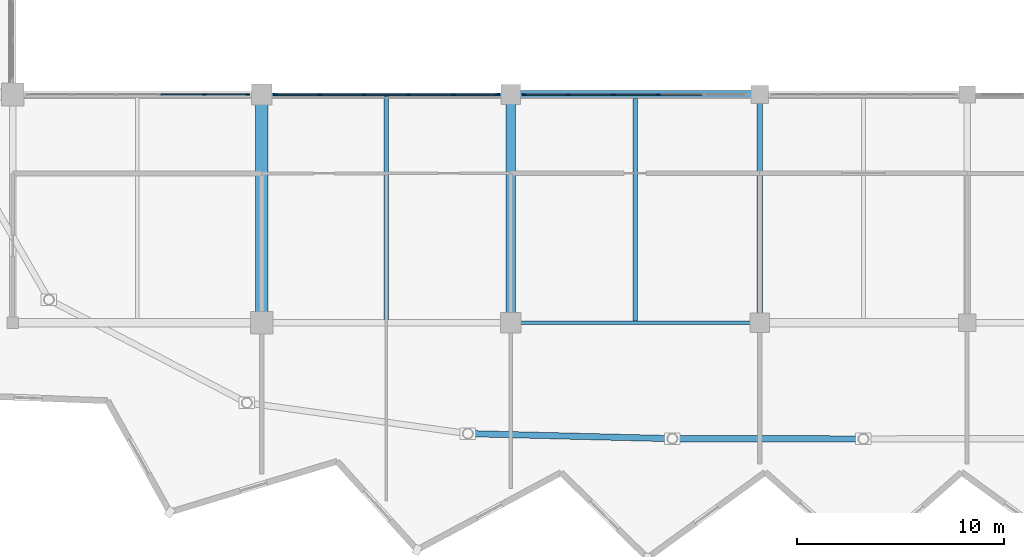
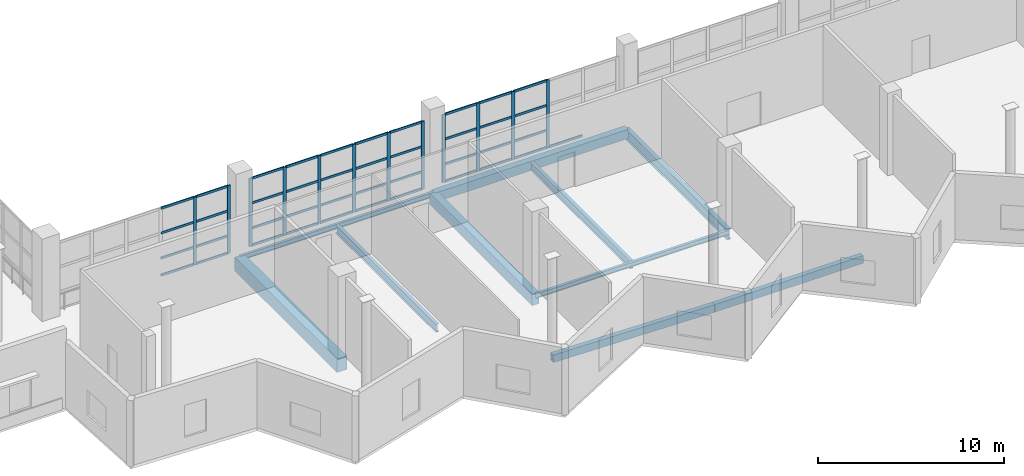
# One storey, part 12 of 49: 53 members, 10 beams, 3 elements without a shape of their own.
"""IFC4 building model written with IfcOpenShell, lengths in metres."""

from ifc_helpers import new_model, si_unit, direction, frame, origin, origin_2d, place, context, subcontext, project, spatial, rectangle, hollow_rectangle, i_section, extrude, material, material_profile, profile_set, type_object, element, aggregate, save


model = new_model("IFC4")

# Units and contexts
model_context = context("Model", 3, precision=1e-05, world=origin(), true_north=direction((0.0, 1.0)))
body_context = subcontext(model_context, "Body", "Model", "MODEL_VIEW")
ifc_project = project(units=[si_unit("LENGTHUNIT", "METRE"), si_unit("AREAUNIT", "SQUARE_METRE"), si_unit("VOLUMEUNIT", "CUBIC_METRE"), si_unit("PLANEANGLEUNIT", "RADIAN"), si_unit("MASSUNIT", "GRAM", prefix="KILO")], contexts=[model_context])

# Site, building, storey
site_placement = place(None, origin())
site = spatial("IfcSite", under=ifc_project, at=site_placement, CompositionType="ELEMENT")
building_placement = place(site_placement, origin())
building = spatial("IfcBuilding", under=site, at=building_placement, Name="Luwafu Chhajja Arena", CompositionType="ELEMENT")
storey_placement = place(building_placement, frame((0.0, 0.0, 24.300048828125)))
storey = spatial("IfcBuildingStorey", under=building, at=storey_placement, Name="L05", CompositionType="ELEMENT", Elevation=24.300048828125)

# Curtain wall, members
ifc_material_1 = material(Name="Anodised bronze aluminium", Category="aluminium")
curtain_wall_type = type_object("IfcCurtainWallType", Name="VIP Club Terrace Curtain Wall", PredefinedType="USERDEFINED", material=ifc_material_1)
curtain_wall_1_placement = place(storey_placement, origin())
curtain_wall_1 = element("IfcCurtainWall", 1, at=curtain_wall_1_placement, inside=storey, type_object=curtain_wall_type, Name="L05 Bowl Viewing Curtain Wall CWR-L05-01", ObjectType="CURTAIN WALL", PredefinedType="USERDEFINED")
ifc_material_profile_1 = material_profile(ifc_material_1, rectangle(XDim=0.06494140625, YDim=0.199951171875, at=origin_2d()), Name="CWM 65x200")
ifc_profile_set_1 = profile_set([ifc_material_profile_1], Name="Anodised bronze aluminium")
member_type_1 = type_object("IfcMemberType", Name="Bronze Curtain Wall Mullion 65x200", PredefinedType="MULLION", material=ifc_profile_set_1)
member_1_placement = place(storey_placement, frame((67.22607421875, 22.0, 0.0), z_axis=(0.0, 0.0, 1.0), x_axis=(0.0, 1.0, 0.0)))
member_1 = element("IfcMember", 2, at=member_1_placement, type_object=member_type_1, Name="CW-10 mullion 5", PredefinedType="MULLION", context=body_context, shape_type="SweptSolid", body=[
    extrude(rectangle(XDim=0.06494140625, YDim=0.199951171875, at=origin_2d()), origin(), (0.0, 0.0, 1.0), 4.449951171875),
])
member_2_placement = place(storey_placement, frame((69.327392578125, 22.0, 0.0), z_axis=(0.0, 0.0, 1.0), x_axis=(0.0, 1.0, 0.0)))
member_2 = element("IfcMember", 3, at=member_2_placement, type_object=member_type_1, Name="CW-10 mullion 6", PredefinedType="MULLION", context=body_context, shape_type="SweptSolid", body=[
    extrude(rectangle(XDim=0.06494140625, YDim=0.199951171875, at=origin_2d()), origin(), (0.0, 0.0, 1.0), 4.449951171875),
])

curtain_wall_2_placement = place(storey_placement, origin())
curtain_wall_2 = element("IfcCurtainWall", 4, at=curtain_wall_2_placement, inside=storey, type_object=curtain_wall_type, Name="L05 Bowl Viewing Curtain Wall CWR-L05-02", ObjectType="CURTAIN WALL", PredefinedType="USERDEFINED")
member_3_placement = place(storey_placement, frame((70.672607421875, 22.0, 0.0), z_axis=(0.0, 0.0, 1.0), x_axis=(0.0, 1.0, 0.0)))
member_3 = element("IfcMember", 5, at=member_3_placement, type_object=member_type_1, Name="CW-10 mullion 1", PredefinedType="MULLION", context=body_context, shape_type="SweptSolid", body=[
    extrude(rectangle(XDim=0.06494140625, YDim=0.199951171875, at=origin_2d()), origin(), (0.0, 0.0, 1.0), 4.449951171875),
])
member_4_placement = place(storey_placement, frame((72.7890625, 22.0, 0.0), z_axis=(0.0, 0.0, 1.0), x_axis=(0.0, 1.0, 0.0)))
member_4 = element("IfcMember", 6, at=member_4_placement, type_object=member_type_1, Name="CW-10 mullion 2", PredefinedType="MULLION", context=body_context, shape_type="SweptSolid", body=[
    extrude(rectangle(XDim=0.06494140625, YDim=0.199951171875, at=origin_2d()), origin(), (0.0, 0.0, 1.0), 4.449951171875),
])
member_5_placement = place(storey_placement, frame((74.93798828125, 22.0, 0.0), z_axis=(0.0, 0.0, 1.0), x_axis=(0.0, 1.0, 0.0)))
member_5 = element("IfcMember", 7, at=member_5_placement, type_object=member_type_1, Name="CW-10 mullion 3", PredefinedType="MULLION", context=body_context, shape_type="SweptSolid", body=[
    extrude(rectangle(XDim=0.06494140625, YDim=0.199951171875, at=origin_2d()), origin(), (0.0, 0.0, 1.0), 4.449951171875),
])
member_6_placement = place(storey_placement, frame((77.0869140625, 22.0, 0.0), z_axis=(0.0, 0.0, 1.0), x_axis=(0.0, 1.0, 0.0)))
member_6 = element("IfcMember", 8, at=member_6_placement, type_object=member_type_1, Name="CW-10 mullion 4", PredefinedType="MULLION", context=body_context, shape_type="SweptSolid", body=[
    extrude(rectangle(XDim=0.06494140625, YDim=0.199951171875, at=origin_2d()), origin(), (0.0, 0.0, 1.0), 4.449951171875),
])
member_7_placement = place(storey_placement, frame((79.236083984375, 22.0, 0.0), z_axis=(0.0, 0.0, 1.0), x_axis=(0.0, 1.0, 0.0)))
member_7 = element("IfcMember", 9, at=member_7_placement, type_object=member_type_1, Name="CW-10 mullion 5", PredefinedType="MULLION", context=body_context, shape_type="SweptSolid", body=[
    extrude(rectangle(XDim=0.06494140625, YDim=0.199951171875, at=origin_2d()), origin(), (0.0, 0.0, 1.0), 4.449951171875),
])
member_8_placement = place(storey_placement, frame((81.3525390625, 22.0, 0.0), z_axis=(0.0, 0.0, 1.0), x_axis=(0.0, 1.0, 0.0)))
member_8 = element("IfcMember", 10, at=member_8_placement, type_object=member_type_1, Name="CW-10 mullion 6", PredefinedType="MULLION", context=body_context, shape_type="SweptSolid", body=[
    extrude(rectangle(XDim=0.06494140625, YDim=0.199951171875, at=origin_2d()), origin(), (0.0, 0.0, 1.0), 4.449951171875),
])

curtain_wall_3_placement = place(storey_placement, origin())
curtain_wall_3 = element("IfcCurtainWall", 11, at=curtain_wall_3_placement, inside=storey, type_object=curtain_wall_type, Name="L05 Bowl Viewing Curtain Wall CWR-L05-03", ObjectType="CURTAIN WALL", PredefinedType="USERDEFINED")
member_9_placement = place(storey_placement, frame((82.6474609375, 22.0, 0.0), z_axis=(0.0, 0.0, 1.0), x_axis=(0.0, 1.0, 0.0)))
member_9 = element("IfcMember", 12, at=member_9_placement, type_object=member_type_1, Name="CW-10 mullion 1", PredefinedType="MULLION", context=body_context, shape_type="SweptSolid", body=[
    extrude(rectangle(XDim=0.06494140625, YDim=0.199951171875, at=origin_2d()), origin(), (0.0, 0.0, 1.0), 4.449951171875),
])
member_10_placement = place(storey_placement, frame((84.779052734375, 22.0, 0.0), z_axis=(0.0, 0.0, 1.0), x_axis=(0.0, 1.0, 0.0)))
member_10 = element("IfcMember", 13, at=member_10_placement, type_object=member_type_1, Name="CW-10 mullion 2", PredefinedType="MULLION", context=body_context, shape_type="SweptSolid", body=[
    extrude(rectangle(XDim=0.06494140625, YDim=0.199951171875, at=origin_2d()), origin(), (0.0, 0.0, 1.0), 4.449951171875),
])
member_11_placement = place(storey_placement, frame((86.943115234375, 22.0, 0.0), z_axis=(0.0, 0.0, 1.0), x_axis=(0.0, 1.0, 0.0)))
member_11 = element("IfcMember", 14, at=member_11_placement, type_object=member_type_1, Name="CW-10 mullion 3", PredefinedType="MULLION", context=body_context, shape_type="SweptSolid", body=[
    extrude(rectangle(XDim=0.06494140625, YDim=0.199951171875, at=origin_2d()), origin(), (0.0, 0.0, 1.0), 4.449951171875),
])
member_12_placement = place(storey_placement, frame((89.10693359375, 22.0, 0.0), z_axis=(0.0, 0.0, 1.0), x_axis=(0.0, 1.0, 0.0)))
member_12 = element("IfcMember", 15, at=member_12_placement, type_object=member_type_1, Name="CW-10 mullion 4", PredefinedType="MULLION", context=body_context, shape_type="SweptSolid", body=[
    extrude(rectangle(XDim=0.06494140625, YDim=0.199951171875, at=origin_2d()), origin(), (0.0, 0.0, 1.0), 4.449951171875),
])

# Member
ifc_material_profile_2 = material_profile(ifc_material_1, rectangle(XDim=0.06494140625, YDim=0.14990234375, at=origin_2d()), Name="CWT 65x150")
ifc_profile_set_2 = profile_set([ifc_material_profile_2], Name="Anodised bronze aluminium")
member_type_2 = type_object("IfcMemberType", Name="Bronze Curtain Wall Transom 65x150", PredefinedType="USERDEFINED", material=ifc_profile_set_2)
member_13_placement = place(storey_placement, frame((65.12451171875, 22.0, 0.032470703125), z_axis=(1.0, 0.0, 0.0), x_axis=(0.0, 1.0, 0.0)))
member_13 = element("IfcMember", 16, at=member_13_placement, type_object=member_type_2, Name="CW-10 transom 4.1", ObjectType="TRANSOM", PredefinedType="USERDEFINED", context=body_context, shape_type="SweptSolid", body=[
    extrude(rectangle(XDim=0.06494140625, YDim=0.14990234375, at=origin_2d()), origin(), (0.0, 0.0, 1.0), 2.069091796875),
])

member_14_placement = place(storey_placement, frame((65.12451171875, 22.0, 1.14990234375), z_axis=(1.0, 0.0, 0.0), x_axis=(0.0, 1.0, 0.0)))
member_14 = element("IfcMember", 17, at=member_14_placement, type_object=member_type_2, Name="CW-10 transom 4.2", ObjectType="TRANSOM", PredefinedType="USERDEFINED", context=body_context, shape_type="SweptSolid", body=[
    extrude(rectangle(XDim=0.06494140625, YDim=0.14990234375, at=origin_2d()), origin(), (0.0, 0.0, 1.0), 2.069091796875),
])

member_15_placement = place(storey_placement, frame((65.12451171875, 22.0, 2.800048828125), z_axis=(1.0, 0.0, 0.0), x_axis=(0.0, 1.0, 0.0)))
member_15 = element("IfcMember", 18, at=member_15_placement, type_object=member_type_2, Name="CW-10 transom 4.3", ObjectType="TRANSOM", PredefinedType="USERDEFINED", context=body_context, shape_type="SweptSolid", body=[
    extrude(rectangle(XDim=0.06494140625, YDim=0.14990234375, at=origin_2d()), origin(), (0.0, 0.0, 1.0), 2.069091796875),
])

member_16_placement = place(storey_placement, frame((65.12451171875, 22.0, 4.41748046875), z_axis=(1.0, 0.0, 0.0), x_axis=(0.0, 1.0, 0.0)))
member_16 = element("IfcMember", 19, at=member_16_placement, type_object=member_type_2, Name="CW-10 transom 4.4", ObjectType="TRANSOM", PredefinedType="USERDEFINED", context=body_context, shape_type="SweptSolid", body=[
    extrude(rectangle(XDim=0.06494140625, YDim=0.14990234375, at=origin_2d()), origin(), (0.0, 0.0, 1.0), 2.069091796875),
])

member_17_placement = place(storey_placement, frame((67.258544921875, 22.0, 0.032470703125), z_axis=(1.0, 0.0, 0.0), x_axis=(0.0, 1.0, 0.0)))
member_17 = element("IfcMember", 20, at=member_17_placement, type_object=member_type_2, Name="CW-10 transom 5.1", ObjectType="TRANSOM", PredefinedType="USERDEFINED", context=body_context, shape_type="SweptSolid", body=[
    extrude(rectangle(XDim=0.06494140625, YDim=0.14990234375, at=origin_2d()), origin(), (0.0, 0.0, 1.0), 2.036376953125),
])

member_18_placement = place(storey_placement, frame((67.258544921875, 22.0, 1.14990234375), z_axis=(1.0, 0.0, 0.0), x_axis=(0.0, 1.0, 0.0)))
member_18 = element("IfcMember", 21, at=member_18_placement, type_object=member_type_2, Name="CW-10 transom 5.2", ObjectType="TRANSOM", PredefinedType="USERDEFINED", context=body_context, shape_type="SweptSolid", body=[
    extrude(rectangle(XDim=0.06494140625, YDim=0.14990234375, at=origin_2d()), origin(), (0.0, 0.0, 1.0), 2.036376953125),
])

member_19_placement = place(storey_placement, frame((67.258544921875, 22.0, 2.800048828125), z_axis=(1.0, 0.0, 0.0), x_axis=(0.0, 1.0, 0.0)))
member_19 = element("IfcMember", 22, at=member_19_placement, type_object=member_type_2, Name="CW-10 transom 5.3", ObjectType="TRANSOM", PredefinedType="USERDEFINED", context=body_context, shape_type="SweptSolid", body=[
    extrude(rectangle(XDim=0.06494140625, YDim=0.14990234375, at=origin_2d()), origin(), (0.0, 0.0, 1.0), 2.036376953125),
])

member_20_placement = place(storey_placement, frame((67.258544921875, 22.0, 4.41748046875), z_axis=(1.0, 0.0, 0.0), x_axis=(0.0, 1.0, 0.0)))
member_20 = element("IfcMember", 23, at=member_20_placement, type_object=member_type_2, Name="CW-10 transom 5.4", ObjectType="TRANSOM", PredefinedType="USERDEFINED", context=body_context, shape_type="SweptSolid", body=[
    extrude(rectangle(XDim=0.06494140625, YDim=0.14990234375, at=origin_2d()), origin(), (0.0, 0.0, 1.0), 2.036376953125),
])

aggregate(curtain_wall_1, [member_1, member_2, member_13, member_14, member_15, member_16, member_17, member_18, member_19, member_20])

member_21_placement = place(storey_placement, frame((70.705078125, 22.0, 0.032470703125), z_axis=(1.0, 0.0, 0.0), x_axis=(0.0, 1.0, 0.0)))
member_21 = element("IfcMember", 24, at=member_21_placement, type_object=member_type_2, Name="CW-10 transom 1.1", ObjectType="TRANSOM", PredefinedType="USERDEFINED", context=body_context, shape_type="SweptSolid", body=[
    extrude(rectangle(XDim=0.06494140625, YDim=0.14990234375, at=origin_2d()), origin(), (0.0, 0.0, 1.0), 2.051513671875),
])

member_22_placement = place(storey_placement, frame((70.705078125, 22.0, 1.14990234375), z_axis=(1.0, 0.0, 0.0), x_axis=(0.0, 1.0, 0.0)))
member_22 = element("IfcMember", 25, at=member_22_placement, type_object=member_type_2, Name="CW-10 transom 1.2", ObjectType="TRANSOM", PredefinedType="USERDEFINED", context=body_context, shape_type="SweptSolid", body=[
    extrude(rectangle(XDim=0.06494140625, YDim=0.14990234375, at=origin_2d()), origin(), (0.0, 0.0, 1.0), 2.051513671875),
])

member_23_placement = place(storey_placement, frame((70.705078125, 22.0, 2.800048828125), z_axis=(1.0, 0.0, 0.0), x_axis=(0.0, 1.0, 0.0)))
member_23 = element("IfcMember", 26, at=member_23_placement, type_object=member_type_2, Name="CW-10 transom 1.3", ObjectType="TRANSOM", PredefinedType="USERDEFINED", context=body_context, shape_type="SweptSolid", body=[
    extrude(rectangle(XDim=0.06494140625, YDim=0.14990234375, at=origin_2d()), origin(), (0.0, 0.0, 1.0), 2.051513671875),
])

member_24_placement = place(storey_placement, frame((70.705078125, 22.0, 4.41748046875), z_axis=(1.0, 0.0, 0.0), x_axis=(0.0, 1.0, 0.0)))
member_24 = element("IfcMember", 27, at=member_24_placement, type_object=member_type_2, Name="CW-10 transom 1.4", ObjectType="TRANSOM", PredefinedType="USERDEFINED", context=body_context, shape_type="SweptSolid", body=[
    extrude(rectangle(XDim=0.06494140625, YDim=0.14990234375, at=origin_2d()), origin(), (0.0, 0.0, 1.0), 2.051513671875),
])

member_25_placement = place(storey_placement, frame((72.821533203125, 22.0, 0.032470703125), z_axis=(1.0, 0.0, 0.0), x_axis=(0.0, 1.0, 0.0)))
member_25 = element("IfcMember", 28, at=member_25_placement, type_object=member_type_2, Name="CW-10 transom 2.1", ObjectType="TRANSOM", PredefinedType="USERDEFINED", context=body_context, shape_type="SweptSolid", body=[
    extrude(rectangle(XDim=0.06494140625, YDim=0.14990234375, at=origin_2d()), origin(), (0.0, 0.0, 1.0), 2.083984375),
])

member_26_placement = place(storey_placement, frame((72.821533203125, 22.0, 1.14990234375), z_axis=(1.0, 0.0, 0.0), x_axis=(0.0, 1.0, 0.0)))
member_26 = element("IfcMember", 29, at=member_26_placement, type_object=member_type_2, Name="CW-10 transom 2.2", ObjectType="TRANSOM", PredefinedType="USERDEFINED", context=body_context, shape_type="SweptSolid", body=[
    extrude(rectangle(XDim=0.06494140625, YDim=0.14990234375, at=origin_2d()), origin(), (0.0, 0.0, 1.0), 2.083984375),
])

member_27_placement = place(storey_placement, frame((72.821533203125, 22.0, 2.800048828125), z_axis=(1.0, 0.0, 0.0), x_axis=(0.0, 1.0, 0.0)))
member_27 = element("IfcMember", 30, at=member_27_placement, type_object=member_type_2, Name="CW-10 transom 2.3", ObjectType="TRANSOM", PredefinedType="USERDEFINED", context=body_context, shape_type="SweptSolid", body=[
    extrude(rectangle(XDim=0.06494140625, YDim=0.14990234375, at=origin_2d()), origin(), (0.0, 0.0, 1.0), 2.083984375),
])

member_28_placement = place(storey_placement, frame((72.821533203125, 22.0, 4.41748046875), z_axis=(1.0, 0.0, 0.0), x_axis=(0.0, 1.0, 0.0)))
member_28 = element("IfcMember", 31, at=member_28_placement, type_object=member_type_2, Name="CW-10 transom 2.4", ObjectType="TRANSOM", PredefinedType="USERDEFINED", context=body_context, shape_type="SweptSolid", body=[
    extrude(rectangle(XDim=0.06494140625, YDim=0.14990234375, at=origin_2d()), origin(), (0.0, 0.0, 1.0), 2.083984375),
])

member_29_placement = place(storey_placement, frame((74.970458984375, 22.0, 0.032470703125), z_axis=(1.0, 0.0, 0.0), x_axis=(0.0, 1.0, 0.0)))
member_29 = element("IfcMember", 32, at=member_29_placement, type_object=member_type_2, Name="CW-10 transom 3.1", ObjectType="TRANSOM", PredefinedType="USERDEFINED", context=body_context, shape_type="SweptSolid", body=[
    extrude(rectangle(XDim=0.06494140625, YDim=0.14990234375, at=origin_2d()), origin(), (0.0, 0.0, 1.0), 2.083984375),
])

member_30_placement = place(storey_placement, frame((74.970458984375, 22.0, 1.14990234375), z_axis=(1.0, 0.0, 0.0), x_axis=(0.0, 1.0, 0.0)))
member_30 = element("IfcMember", 33, at=member_30_placement, type_object=member_type_2, Name="CW-10 transom 3.2", ObjectType="TRANSOM", PredefinedType="USERDEFINED", context=body_context, shape_type="SweptSolid", body=[
    extrude(rectangle(XDim=0.06494140625, YDim=0.14990234375, at=origin_2d()), origin(), (0.0, 0.0, 1.0), 2.083984375),
])

member_31_placement = place(storey_placement, frame((74.970458984375, 22.0, 2.800048828125), z_axis=(1.0, 0.0, 0.0), x_axis=(0.0, 1.0, 0.0)))
member_31 = element("IfcMember", 34, at=member_31_placement, type_object=member_type_2, Name="CW-10 transom 3.3", ObjectType="TRANSOM", PredefinedType="USERDEFINED", context=body_context, shape_type="SweptSolid", body=[
    extrude(rectangle(XDim=0.06494140625, YDim=0.14990234375, at=origin_2d()), origin(), (0.0, 0.0, 1.0), 2.083984375),
])

member_32_placement = place(storey_placement, frame((74.970458984375, 22.0, 4.41748046875), z_axis=(1.0, 0.0, 0.0), x_axis=(0.0, 1.0, 0.0)))
member_32 = element("IfcMember", 35, at=member_32_placement, type_object=member_type_2, Name="CW-10 transom 3.4", ObjectType="TRANSOM", PredefinedType="USERDEFINED", context=body_context, shape_type="SweptSolid", body=[
    extrude(rectangle(XDim=0.06494140625, YDim=0.14990234375, at=origin_2d()), origin(), (0.0, 0.0, 1.0), 2.083984375),
])

member_33_placement = place(storey_placement, frame((77.119384765625, 22.0, 0.032470703125), z_axis=(1.0, 0.0, 0.0), x_axis=(0.0, 1.0, 0.0)))
member_33 = element("IfcMember", 36, at=member_33_placement, type_object=member_type_2, Name="CW-10 transom 4.1", ObjectType="TRANSOM", PredefinedType="USERDEFINED", context=body_context, shape_type="SweptSolid", body=[
    extrude(rectangle(XDim=0.06494140625, YDim=0.14990234375, at=origin_2d()), origin(), (0.0, 0.0, 1.0), 2.084228515625),
])

member_34_placement = place(storey_placement, frame((77.119384765625, 22.0, 1.14990234375), z_axis=(1.0, 0.0, 0.0), x_axis=(0.0, 1.0, 0.0)))
member_34 = element("IfcMember", 37, at=member_34_placement, type_object=member_type_2, Name="CW-10 transom 4.2", ObjectType="TRANSOM", PredefinedType="USERDEFINED", context=body_context, shape_type="SweptSolid", body=[
    extrude(rectangle(XDim=0.06494140625, YDim=0.14990234375, at=origin_2d()), origin(), (0.0, 0.0, 1.0), 2.084228515625),
])

member_35_placement = place(storey_placement, frame((77.119384765625, 22.0, 2.800048828125), z_axis=(1.0, 0.0, 0.0), x_axis=(0.0, 1.0, 0.0)))
member_35 = element("IfcMember", 38, at=member_35_placement, type_object=member_type_2, Name="CW-10 transom 4.3", ObjectType="TRANSOM", PredefinedType="USERDEFINED", context=body_context, shape_type="SweptSolid", body=[
    extrude(rectangle(XDim=0.06494140625, YDim=0.14990234375, at=origin_2d()), origin(), (0.0, 0.0, 1.0), 2.084228515625),
])

member_36_placement = place(storey_placement, frame((77.119384765625, 22.0, 4.41748046875), z_axis=(1.0, 0.0, 0.0), x_axis=(0.0, 1.0, 0.0)))
member_36 = element("IfcMember", 39, at=member_36_placement, type_object=member_type_2, Name="CW-10 transom 4.4", ObjectType="TRANSOM", PredefinedType="USERDEFINED", context=body_context, shape_type="SweptSolid", body=[
    extrude(rectangle(XDim=0.06494140625, YDim=0.14990234375, at=origin_2d()), origin(), (0.0, 0.0, 1.0), 2.084228515625),
])

member_37_placement = place(storey_placement, frame((79.2685546875, 22.0, 0.032470703125), z_axis=(1.0, 0.0, 0.0), x_axis=(0.0, 1.0, 0.0)))
member_37 = element("IfcMember", 40, at=member_37_placement, type_object=member_type_2, Name="CW-10 transom 5.1", ObjectType="TRANSOM", PredefinedType="USERDEFINED", context=body_context, shape_type="SweptSolid", body=[
    extrude(rectangle(XDim=0.06494140625, YDim=0.14990234375, at=origin_2d()), origin(), (0.0, 0.0, 1.0), 2.051513671875),
])

member_38_placement = place(storey_placement, frame((79.2685546875, 22.0, 1.14990234375), z_axis=(1.0, 0.0, 0.0), x_axis=(0.0, 1.0, 0.0)))
member_38 = element("IfcMember", 41, at=member_38_placement, type_object=member_type_2, Name="CW-10 transom 5.2", ObjectType="TRANSOM", PredefinedType="USERDEFINED", context=body_context, shape_type="SweptSolid", body=[
    extrude(rectangle(XDim=0.06494140625, YDim=0.14990234375, at=origin_2d()), origin(), (0.0, 0.0, 1.0), 2.051513671875),
])

member_39_placement = place(storey_placement, frame((79.2685546875, 22.0, 2.800048828125), z_axis=(1.0, 0.0, 0.0), x_axis=(0.0, 1.0, 0.0)))
member_39 = element("IfcMember", 42, at=member_39_placement, type_object=member_type_2, Name="CW-10 transom 5.3", ObjectType="TRANSOM", PredefinedType="USERDEFINED", context=body_context, shape_type="SweptSolid", body=[
    extrude(rectangle(XDim=0.06494140625, YDim=0.14990234375, at=origin_2d()), origin(), (0.0, 0.0, 1.0), 2.051513671875),
])

member_40_placement = place(storey_placement, frame((79.2685546875, 22.0, 4.41748046875), z_axis=(1.0, 0.0, 0.0), x_axis=(0.0, 1.0, 0.0)))
member_40 = element("IfcMember", 43, at=member_40_placement, type_object=member_type_2, Name="CW-10 transom 5.4", ObjectType="TRANSOM", PredefinedType="USERDEFINED", context=body_context, shape_type="SweptSolid", body=[
    extrude(rectangle(XDim=0.06494140625, YDim=0.14990234375, at=origin_2d()), origin(), (0.0, 0.0, 1.0), 2.051513671875),
])

aggregate(curtain_wall_2, [member_3, member_4, member_5, member_6, member_7, member_8, member_21, member_22, member_23, member_24, member_25, member_26, member_27, member_28, member_29, member_30, member_31, member_32, member_33, member_34, member_35, member_36, member_37, member_38, member_39, member_40])

member_41_placement = place(storey_placement, frame((82.679931640625, 22.0, 0.032470703125), z_axis=(1.0, 0.0, 0.0), x_axis=(0.0, 1.0, 0.0)))
member_41 = element("IfcMember", 44, at=member_41_placement, type_object=member_type_2, Name="CW-10 transom 1.1", ObjectType="TRANSOM", PredefinedType="USERDEFINED", context=body_context, shape_type="SweptSolid", body=[
    extrude(rectangle(XDim=0.06494140625, YDim=0.14990234375, at=origin_2d()), origin(), (0.0, 0.0, 1.0), 2.066650390625),
])

member_42_placement = place(storey_placement, frame((82.679931640625, 22.0, 1.14990234375), z_axis=(1.0, 0.0, 0.0), x_axis=(0.0, 1.0, 0.0)))
member_42 = element("IfcMember", 45, at=member_42_placement, type_object=member_type_2, Name="CW-10 transom 1.2", ObjectType="TRANSOM", PredefinedType="USERDEFINED", context=body_context, shape_type="SweptSolid", body=[
    extrude(rectangle(XDim=0.06494140625, YDim=0.14990234375, at=origin_2d()), origin(), (0.0, 0.0, 1.0), 2.066650390625),
])

member_43_placement = place(storey_placement, frame((82.679931640625, 22.0, 2.800048828125), z_axis=(1.0, 0.0, 0.0), x_axis=(0.0, 1.0, 0.0)))
member_43 = element("IfcMember", 46, at=member_43_placement, type_object=member_type_2, Name="CW-10 transom 1.3", ObjectType="TRANSOM", PredefinedType="USERDEFINED", context=body_context, shape_type="SweptSolid", body=[
    extrude(rectangle(XDim=0.06494140625, YDim=0.14990234375, at=origin_2d()), origin(), (0.0, 0.0, 1.0), 2.066650390625),
])

member_44_placement = place(storey_placement, frame((82.679931640625, 22.0, 4.41748046875), z_axis=(1.0, 0.0, 0.0), x_axis=(0.0, 1.0, 0.0)))
member_44 = element("IfcMember", 47, at=member_44_placement, type_object=member_type_2, Name="CW-10 transom 1.4", ObjectType="TRANSOM", PredefinedType="USERDEFINED", context=body_context, shape_type="SweptSolid", body=[
    extrude(rectangle(XDim=0.06494140625, YDim=0.14990234375, at=origin_2d()), origin(), (0.0, 0.0, 1.0), 2.066650390625),
])

member_45_placement = place(storey_placement, frame((84.8115234375, 22.0, 0.032470703125), z_axis=(1.0, 0.0, 0.0), x_axis=(0.0, 1.0, 0.0)))
member_45 = element("IfcMember", 48, at=member_45_placement, type_object=member_type_2, Name="CW-10 transom 2.1", ObjectType="TRANSOM", PredefinedType="USERDEFINED", context=body_context, shape_type="SweptSolid", body=[
    extrude(rectangle(XDim=0.06494140625, YDim=0.14990234375, at=origin_2d()), origin(), (0.0, 0.0, 1.0), 2.098876953125),
])

member_46_placement = place(storey_placement, frame((84.8115234375, 22.0, 1.14990234375), z_axis=(1.0, 0.0, 0.0), x_axis=(0.0, 1.0, 0.0)))
member_46 = element("IfcMember", 49, at=member_46_placement, type_object=member_type_2, Name="CW-10 transom 2.2", ObjectType="TRANSOM", PredefinedType="USERDEFINED", context=body_context, shape_type="SweptSolid", body=[
    extrude(rectangle(XDim=0.06494140625, YDim=0.14990234375, at=origin_2d()), origin(), (0.0, 0.0, 1.0), 2.098876953125),
])

member_47_placement = place(storey_placement, frame((84.8115234375, 22.0, 2.800048828125), z_axis=(1.0, 0.0, 0.0), x_axis=(0.0, 1.0, 0.0)))
member_47 = element("IfcMember", 50, at=member_47_placement, type_object=member_type_2, Name="CW-10 transom 2.3", ObjectType="TRANSOM", PredefinedType="USERDEFINED", context=body_context, shape_type="SweptSolid", body=[
    extrude(rectangle(XDim=0.06494140625, YDim=0.14990234375, at=origin_2d()), origin(), (0.0, 0.0, 1.0), 2.098876953125),
])

member_48_placement = place(storey_placement, frame((84.8115234375, 22.0, 4.41748046875), z_axis=(1.0, 0.0, 0.0), x_axis=(0.0, 1.0, 0.0)))
member_48 = element("IfcMember", 51, at=member_48_placement, type_object=member_type_2, Name="CW-10 transom 2.4", ObjectType="TRANSOM", PredefinedType="USERDEFINED", context=body_context, shape_type="SweptSolid", body=[
    extrude(rectangle(XDim=0.06494140625, YDim=0.14990234375, at=origin_2d()), origin(), (0.0, 0.0, 1.0), 2.098876953125),
])

member_49_placement = place(storey_placement, frame((86.9755859375, 22.0, 0.032470703125), z_axis=(1.0, 0.0, 0.0), x_axis=(0.0, 1.0, 0.0)))
member_49 = element("IfcMember", 52, at=member_49_placement, type_object=member_type_2, Name="CW-10 transom 3.1", ObjectType="TRANSOM", PredefinedType="USERDEFINED", context=body_context, shape_type="SweptSolid", body=[
    extrude(rectangle(XDim=0.06494140625, YDim=0.14990234375, at=origin_2d()), origin(), (0.0, 0.0, 1.0), 2.098876953125),
])

member_50_placement = place(storey_placement, frame((86.9755859375, 22.0, 1.14990234375), z_axis=(1.0, 0.0, 0.0), x_axis=(0.0, 1.0, 0.0)))
member_50 = element("IfcMember", 53, at=member_50_placement, type_object=member_type_2, Name="CW-10 transom 3.2", ObjectType="TRANSOM", PredefinedType="USERDEFINED", context=body_context, shape_type="SweptSolid", body=[
    extrude(rectangle(XDim=0.06494140625, YDim=0.14990234375, at=origin_2d()), origin(), (0.0, 0.0, 1.0), 2.098876953125),
])

member_51_placement = place(storey_placement, frame((86.9755859375, 22.0, 2.800048828125), z_axis=(1.0, 0.0, 0.0), x_axis=(0.0, 1.0, 0.0)))
member_51 = element("IfcMember", 54, at=member_51_placement, type_object=member_type_2, Name="CW-10 transom 3.3", ObjectType="TRANSOM", PredefinedType="USERDEFINED", context=body_context, shape_type="SweptSolid", body=[
    extrude(rectangle(XDim=0.06494140625, YDim=0.14990234375, at=origin_2d()), origin(), (0.0, 0.0, 1.0), 2.098876953125),
])

member_52_placement = place(storey_placement, frame((86.9755859375, 22.0, 4.41748046875), z_axis=(1.0, 0.0, 0.0), x_axis=(0.0, 1.0, 0.0)))
member_52 = element("IfcMember", 55, at=member_52_placement, type_object=member_type_2, Name="CW-10 transom 3.4", ObjectType="TRANSOM", PredefinedType="USERDEFINED", context=body_context, shape_type="SweptSolid", body=[
    extrude(rectangle(XDim=0.06494140625, YDim=0.14990234375, at=origin_2d()), origin(), (0.0, 0.0, 1.0), 2.098876953125),
])

member_53_placement = place(storey_placement, frame((89.139404296875, 22.0, 0.032470703125), z_axis=(1.0, 0.0, 0.0), x_axis=(0.0, 1.0, 0.0)))
member_53 = element("IfcMember", 56, at=member_53_placement, type_object=member_type_2, Name="CW-10 transom 4.1", ObjectType="TRANSOM", PredefinedType="USERDEFINED", context=body_context, shape_type="SweptSolid", body=[
    extrude(rectangle(XDim=0.06494140625, YDim=0.14990234375, at=origin_2d()), origin(), (0.0, 0.0, 1.0), 2.09912109375),
])

aggregate(curtain_wall_3, [member_9, member_10, member_11, member_12, member_41, member_42, member_43, member_44, member_45, member_46, member_47, member_48, member_49, member_50, member_51, member_52, member_53])

# Beams
ifc_material_2 = material(Name="Steel S355", Category="steel")
ifc_material_profile_3 = material_profile(ifc_material_2, i_section(OverallWidth=0.165771484375, OverallDepth=0.306640625, WebThickness=0.006591796875, FlangeThickness=0.01171875, at=origin_2d()), Name="UB 305x165x46")
ifc_profile_set_3 = profile_set([ifc_material_profile_3], Name="Steel S355")
beam_type_1 = type_object("IfcBeamType", Name="Concourse Edge Spandrel Beam UB 305x165x46", PredefinedType="SPANDREL", material=ifc_profile_set_3)
for number, where, z_axis, x_axis, name in (
    (57, (70.0, 22.0, -0.54345703125), (1.0, 0.0, 0.0), (0.0, 1.0, 0.0), "L05 Grid Beam 7-8/C"),
    (58, (82.0, 11.0, -0.54345703125), (1.0, 0.0, 0.0), (0.0, 1.0, 0.0), "L05 Grid Beam 8-9/B"),
):
    element("IfcBeam", number, at=place(storey_placement, frame(where, z_axis=z_axis, x_axis=x_axis)), inside=storey, type_object=beam_type_1, Name=name, PredefinedType="SPANDREL", context=body_context, shape_type="SweptSolid", body=[
        extrude(i_section(OverallWidth=0.165771484375, OverallDepth=0.306640625, WebThickness=0.006591796875, FlangeThickness=0.01171875, at=origin_2d()), origin(), (0.0, 0.0, 1.0), 12.0),
    ])
ifc_material_3 = material(Name="Concrete C35/45", Category="concrete")
ifc_material_profile_4 = material_profile(ifc_material_3, rectangle(XDim=0.60009765625, YDim=0.89990234375, at=origin_2d()), Name="RC 600x900")
ifc_profile_set_4 = profile_set([ifc_material_profile_4], Name="Concrete C35/45")
beam_type_2 = type_object("IfcBeamType", Name="Concourse Primary Girder RC 600x900", PredefinedType="BEAM", material=ifc_profile_set_4)
beam_1_placement = place(storey_placement, frame((70.0, 11.0, -0.840087890625), z_axis=(0.0, 1.0, 0.0), x_axis=(-1.0, 0.0, 0.0)))
element("IfcBeam", 59, at=beam_1_placement, inside=storey, type_object=beam_type_2, Name="L05 Grid Beam 7/B-C", PredefinedType="BEAM", context=body_context, shape_type="SweptSolid", body=[
    extrude(rectangle(XDim=0.60009765625, YDim=0.89990234375, at=origin_2d()), origin(), (0.0, 0.0, 1.0), 11.0),
])
ifc_material_profile_5 = material_profile(ifc_material_2, i_section(OverallWidth=0.2099609375, OverallDepth=0.53662109375, WebThickness=0.0107421875, FlangeThickness=0.017333984375, at=origin_2d()), Name="UB 533x210x101")
ifc_profile_set_5 = profile_set([ifc_material_profile_5], Name="Steel S355")
beam_type_3 = type_object("IfcBeamType", Name="Floor Joist UB 533x210x101", PredefinedType="JOIST", material=ifc_profile_set_5)
beam_2_placement = place(storey_placement, frame((76.0, 11.14990234375, -0.658447265625), z_axis=(0.0, 1.0, 0.0), x_axis=(-1.0, 0.0, 0.0)))
element("IfcBeam", 60, at=beam_2_placement, inside=storey, type_object=beam_type_3, Name="L05 Secondary Joist 7-8/B", PredefinedType="JOIST", context=body_context, shape_type="SweptSolid", body=[
    extrude(i_section(OverallWidth=0.2099609375, OverallDepth=0.53662109375, WebThickness=0.0107421875, FlangeThickness=0.017333984375, at=origin_2d()), origin(), (0.0, 0.0, 1.0), 10.76708984375),
])
ifc_material_profile_6 = material_profile(ifc_material_2, i_section(OverallWidth=0.209228515625, OverallDepth=0.533203125, WebThickness=0.010009765625, FlangeThickness=0.015625, at=origin_2d()), Name="UB 533x210x92")
ifc_profile_set_6 = profile_set([ifc_material_profile_6], Name="Steel S355")
beam_type_4 = type_object("IfcBeamType", Name="Floor Joist UB 533x210x92", PredefinedType="JOIST", material=ifc_profile_set_6)
beam_3_placement = place(storey_placement, frame((88.0, 11.0830078125, -0.656494140625), z_axis=(0.0, 1.0, 0.0), x_axis=(-1.0, 0.0, 0.0)))
element("IfcBeam", 61, at=beam_3_placement, inside=storey, type_object=beam_type_4, Name="L05 Secondary Joist 8-9/B", PredefinedType="JOIST", context=body_context, shape_type="SweptSolid", body=[
    extrude(i_section(OverallWidth=0.209228515625, OverallDepth=0.533203125, WebThickness=0.010009765625, FlangeThickness=0.015625, at=origin_2d()), origin(), (0.0, 0.0, 1.0), 10.717041015625),
])
ifc_material_profile_7 = material_profile(ifc_material_2, hollow_rectangle(XDim=0.300048828125, YDim=0.5, WallThickness=0.02001953125, at=origin_2d()), Name="RHS 500x300x20")
ifc_profile_set_7 = profile_set([ifc_material_profile_7], Name="Steel S355")
beam_type_5 = type_object("IfcBeamType", Name="Pleated Drum Spandrel Beam RHS 500x300", PredefinedType="SPANDREL", material=ifc_profile_set_7)
beam_4_placement = place(storey_placement, frame((79.932861328125, 5.6552734375, -0.64013671875), z_axis=(0.999695420837, -0.024679253567, 0.0), x_axis=(0.024679253567, 0.999695420837, 0.0)))
element("IfcBeam", 62, at=beam_4_placement, inside=storey, type_object=beam_type_5, Name="L05 Drum Ring Spandrel D23-D24", PredefinedType="SPANDREL", context=body_context, shape_type="SweptSolid", body=[
    extrude(hollow_rectangle(XDim=0.300048828125, YDim=0.5, WallThickness=0.02001953125, at=origin_2d()), origin(), (0.0, 0.0, 1.0), 9.86279296875),
])
beam_5_placement = place(storey_placement, frame((89.792724609375, 5.411865234375, -0.64013671875), z_axis=(0.999999155928, -0.001299285621, 0.0), x_axis=(0.001299285621, 0.999999155928, 0.0)))
element("IfcBeam", 63, at=beam_5_placement, inside=storey, type_object=beam_type_5, Name="L05 Drum Ring Spandrel D24-D25", PredefinedType="SPANDREL", context=body_context, shape_type="SweptSolid", body=[
    extrude(hollow_rectangle(XDim=0.300048828125, YDim=0.5, WallThickness=0.02001953125, at=origin_2d()), origin(), (0.0, 0.0, 1.0), 9.207275390625),
])
ifc_material_profile_8 = material_profile(ifc_material_3, rectangle(XDim=0.39990234375, YDim=0.60009765625, at=origin_2d()), Name="RC 400x600")
ifc_profile_set_8 = profile_set([ifc_material_profile_8], Name="Concrete C35/45")
beam_type_6 = type_object("IfcBeamType", Name="Podium Perimeter Spandrel RC 400x600", PredefinedType="SPANDREL", material=ifc_profile_set_8)
beam_6_placement = place(storey_placement, frame((82.0, 22.0, -0.68994140625), z_axis=(1.0, 0.0, 0.0), x_axis=(0.0, 1.0, 0.0)))
element("IfcBeam", 64, at=beam_6_placement, inside=storey, type_object=beam_type_6, Name="L05 Grid Beam 8-9/C", PredefinedType="SPANDREL", context=body_context, shape_type="SweptSolid", body=[
    extrude(rectangle(XDim=0.39990234375, YDim=0.60009765625, at=origin_2d()), origin(), (0.0, 0.0, 1.0), 12.0),
])
ifc_material_profile_9 = material_profile(ifc_material_2, i_section(OverallWidth=0.253662109375, OverallDepth=0.68359375, WebThickness=0.012451171875, FlangeThickness=0.01904296875, at=origin_2d()), Name="UB 686x254x140")
ifc_profile_set_9 = profile_set([ifc_material_profile_9], Name="Steel S355")
beam_type_7 = type_object("IfcBeamType", Name="Steel Concourse Girder UB 686x254x140", PredefinedType="BEAM", material=ifc_profile_set_9)
beam_7_placement = place(storey_placement, frame((94.0, 11.0, -0.73193359375), z_axis=(0.0, 1.0, 0.0), x_axis=(-1.0, 0.0, 0.0)))
element("IfcBeam", 65, at=beam_7_placement, inside=storey, type_object=beam_type_7, Name="L05 Grid Beam 9/B-C", PredefinedType="BEAM", context=body_context, shape_type="SweptSolid", body=[
    extrude(i_section(OverallWidth=0.253662109375, OverallDepth=0.68359375, WebThickness=0.012451171875, FlangeThickness=0.01904296875, at=origin_2d()), origin(), (0.0, 0.0, 1.0), 11.0),
])
ifc_material_profile_10 = material_profile(ifc_material_3, rectangle(XDim=0.449951171875, YDim=0.75, at=origin_2d()), Name="RC 450x750")
ifc_profile_set_10 = profile_set([ifc_material_profile_10], Name="Concrete C35/45")
beam_type_8 = type_object("IfcBeamType", Name="Wing Primary Beam RC 450x750", PredefinedType="BEAM", material=ifc_profile_set_10)
beam_8_placement = place(storey_placement, frame((82.0, 11.0, -0.76513671875), z_axis=(0.0, 1.0, 0.0), x_axis=(-1.0, 0.0, 0.0)))
element("IfcBeam", 66, at=beam_8_placement, inside=storey, type_object=beam_type_8, Name="L05 Grid Beam 8/B-C", PredefinedType="BEAM", context=body_context, shape_type="SweptSolid", body=[
    extrude(rectangle(XDim=0.449951171875, YDim=0.75, at=origin_2d()), origin(), (0.0, 0.0, 1.0), 11.0),
])

save(model, "model.ifc")
